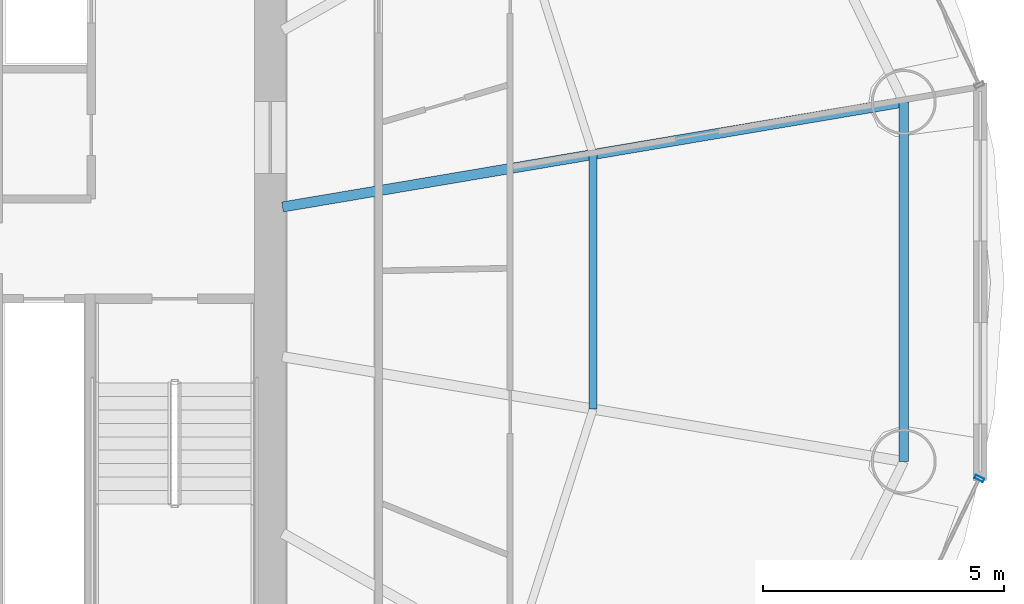
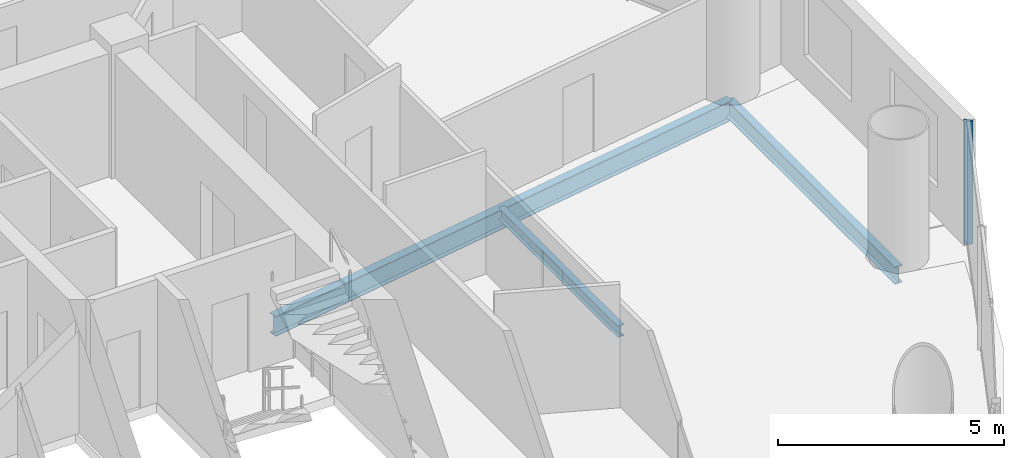
# One storey, part 12 of 27: 3 beams, 1 member, 1 element without a shape of its own.
"""IFC4 building model written with IfcOpenShell, lengths in metres."""

from ifc_helpers import new_model, si_unit, direction, frame, origin, origin_2d, place, context, subcontext, project, spatial, hollow_rectangle, i_section, extrude, source, transform, mapped, material, material_profile, profile_set, type_object, element, aggregate, save


model = new_model("IFC4")

# Units and contexts
model_context = context("Model", 3, precision=1e-05, world=origin(), true_north=direction((-0.2419218956, 0.970295726276)))
body_context = subcontext(model_context, "Body", "Model", "MODEL_VIEW")
ifc_project = project(units=[si_unit("LENGTHUNIT", "METRE"), si_unit("AREAUNIT", "SQUARE_METRE"), si_unit("VOLUMEUNIT", "CUBIC_METRE"), si_unit("PLANEANGLEUNIT", "RADIAN"), si_unit("MASSUNIT", "GRAM", prefix="KILO")], contexts=[model_context])

# Site, building, storey
site_placement = place(None, origin())
site = spatial("IfcSite", under=ifc_project, at=site_placement, CompositionType="ELEMENT")
building_placement = place(site_placement, origin())
building = spatial("IfcBuilding", under=site, at=building_placement, Name="Cobrevalo Terracotta Tower", CompositionType="ELEMENT")
storey_placement = place(building_placement, frame((0.0, 0.0, 149.800048828125)))
storey = spatial("IfcBuildingStorey", under=building, at=storey_placement, Name="L39", CompositionType="ELEMENT", Elevation=149.800048828125)

# Beams
ifc_material_1 = material(Name="Steel S355", Category="steel")
ifc_material_profile_1 = material_profile(ifc_material_1, i_section(OverallWidth=0.2109375, OverallDepth=0.5390625, WebThickness=0.01171875, FlangeThickness=0.018798828125, at=origin_2d()), Name="W 530x109")
ifc_profile_set_1 = profile_set([ifc_material_profile_1], Name="Steel S355")
beam_type_1 = type_object("IfcBeamType", Name="Structural Beam W 530x109 (Steel S355)", PredefinedType="BEAM", material=ifc_profile_set_1)
beam_1_placement = place(storey_placement, frame((60.11669921875, 30.535888671875, -0.53955078125), z_axis=(-0.986032794282, -0.166551279191, 0.0), x_axis=(0.166551279191, -0.986032794282, 0.0)))
element("IfcBeam", 1, at=beam_1_placement, inside=storey, type_object=beam_type_1, Name="L39 radial floor girder 01", PredefinedType="BEAM", context=body_context, shape_type="SweptSolid", body=[
    extrude(i_section(OverallWidth=0.2109375, OverallDepth=0.5390625, WebThickness=0.01171875, FlangeThickness=0.018798828125, at=origin_2d()), origin(), (0.0, 0.0, 1.0), 13.094482421875),
])
ifc_material_profile_2 = material_profile(ifc_material_1, i_section(OverallWidth=0.1650390625, OverallDepth=0.31005859375, WebThickness=0.005859375, FlangeThickness=0.009765625, at=origin_2d()), Name="W 310x38.7")
ifc_profile_set_2 = profile_set([ifc_material_profile_2], Name="Steel S355")
beam_type_2 = type_object("IfcBeamType", Name="Structural Joist W 310x38.7 (Steel S355)", PredefinedType="JOIST", material=ifc_profile_set_2)
beam_2_placement = place(storey_placement, frame((53.660888671875, 24.154541015625, -0.425048828125), z_axis=(0.0, 1.0, 0.0), x_axis=(-1.0, 0.0, 0.0)))
element("IfcBeam", 2, at=beam_2_placement, inside=storey, type_object=beam_type_2, Name="L39 circumferential secondary floor joist 16", PredefinedType="JOIST", context=body_context, shape_type="SweptSolid", body=[
    extrude(i_section(OverallWidth=0.1650390625, OverallDepth=0.31005859375, WebThickness=0.005859375, FlangeThickness=0.009765625, at=origin_2d()), origin(), (0.0, 0.0, 1.0), 5.291015625),
])
ifc_material_profile_3 = material_profile(ifc_material_1, i_section(OverallWidth=0.194091796875, OverallDepth=0.468994140625, WebThickness=0.011474609375, FlangeThickness=0.0205078125, at=origin_2d()), Name="W 460x106")
ifc_profile_set_3 = profile_set([ifc_material_profile_3], Name="Steel S355")
beam_type_3 = type_object("IfcBeamType", Name="Structural Spandrel W 460x106 (Steel S355)", PredefinedType="SPANDREL", material=ifc_profile_set_3)
beam_3_placement = place(storey_placement, frame((60.11669921875, 23.06396484375, -0.504638671875), z_axis=(0.0, 1.0, 0.0), x_axis=(-1.0, 0.0, 0.0)))
element("IfcBeam", 3, at=beam_3_placement, inside=storey, type_object=beam_type_3, Name="L39 perimeter ring spandrel 16", PredefinedType="SPANDREL", context=body_context, shape_type="SweptSolid", body=[
    extrude(i_section(OverallWidth=0.194091796875, OverallDepth=0.468994140625, WebThickness=0.011474609375, FlangeThickness=0.0205078125, at=origin_2d()), origin(), (0.0, 0.0, 1.0), 7.471923828125),
])

# Curtain wall, member
ifc_material_2 = material(Name="Anodized aluminium", Category="aluminium")
curtain_wall_type = type_object("IfcCurtainWallType", Name="Mid-tower high-wind unitised curtain wall CW-U2", PredefinedType="NOTDEFINED", material=ifc_material_2)
curtain_wall_placement = place(storey_placement, origin())
curtain_wall = element("IfcCurtainWall", 4, at=curtain_wall_placement, inside=storey, type_object=curtain_wall_type, Name="L39 curtain wall CW-L39-S15", PredefinedType="NOTDEFINED")
ifc_material_profile_4 = material_profile(ifc_material_2, hollow_rectangle(XDim=0.074951171875, YDim=0.199951171875, WallThickness=0.0048828125, at=origin_2d()), Name="CWM 75x200")
ifc_profile_set_4 = profile_set([ifc_material_profile_4], Name="Anodized aluminium")
member_type = type_object("IfcMemberType", Name="Lower/mid tower unitised mullion 75x200", PredefinedType="MULLION", material=ifc_profile_set_4)
shared_shape = source(origin(), body_context, "Body", "SweptSolid", [
    extrude(hollow_rectangle(XDim=0.074951171875, YDim=0.199951171875, WallThickness=0.0048828125, at=origin_2d()), origin(), (0.0, 0.0, 1.0), 3.329833984375),
])
member_placement = place(storey_placement, frame((61.688232421875, 22.7119140625, 0.0), z_axis=(0.0, 0.0, 1.0), x_axis=(0.434209440271, 0.900811945957, 0.0)))
member = element("IfcMember", 5, at=member_placement, type_object=member_type, Name="CW-L39-S15 vertical mullion 03", PredefinedType="MULLION", context=body_context, shape_type="MappedRepresentation", body=[
    mapped(shared_shape, transform((0.0, 0.0, 0.0), scale=1.0)),
])
aggregate(curtain_wall, [member])

save(model, "model.ifc")
